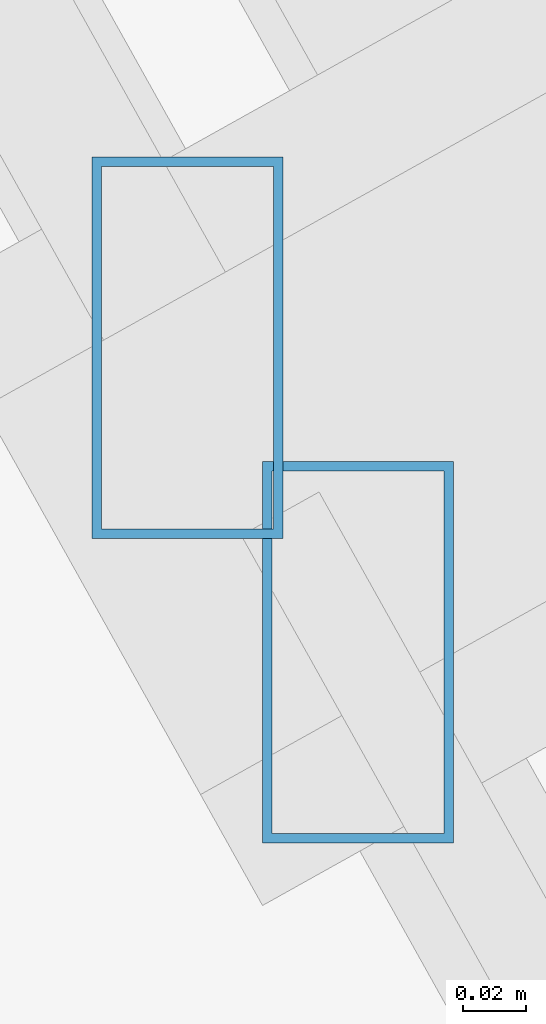
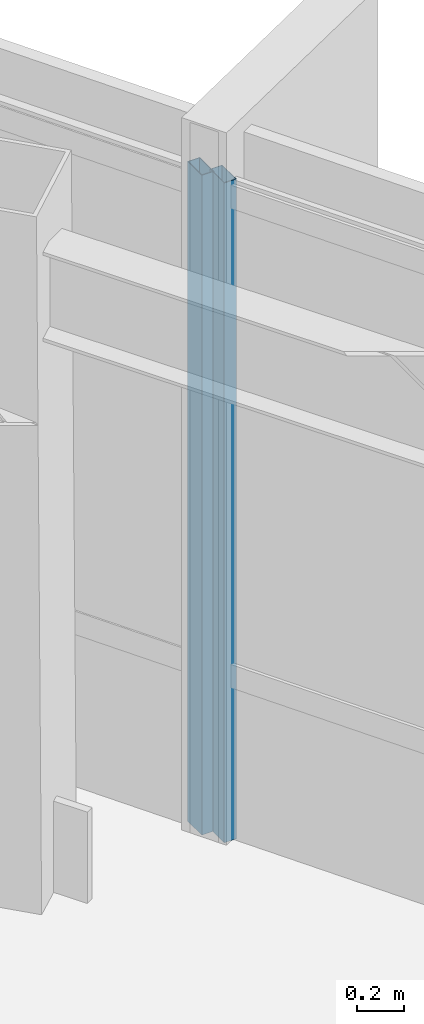
# One storey, part 30 of 45: 2 members, 2 elements without a shape of their own.
"""IFC4 building model written with IfcOpenShell, lengths in metres."""

import ifcopenshell
import ifcopenshell.guid

model = None  # the IFC model being written
_history = None  # IfcOwnerHistory: only IFC2X3 demands one
_inside = {}  # id of a spatial element -> (the spatial element, [elements in it])
_under = {}  # id of a project, library or spatial element -> (it, [spatial elements below it])
_declared = {}  # id of a project -> (the project, [libraries it declares])
_typed = {}  # id of a type object -> (the type object, [elements of that type])
_made_of = {}  # id of a material, layer set ... -> (it, [elements and type objects made of it])


def new_model(schema):
    """Start an empty IFC model of exactly this schema.

    Asked for "IFC4X3", IfcOpenShell would pick the latest addendum, in which some entities
    have other attributes; the version numbers below select the first issue.
    IFC2X3 requires an IfcOwnerHistory on every rooted entity: one is made here for all.
    """
    global model, _history
    if schema == "IFC4X3":
        model = ifcopenshell.file(schema_version=(4, 3, 0, 0))
    else:
        model = ifcopenshell.file(schema=schema)
    _inside.clear()
    _under.clear()
    _declared.clear()
    _typed.clear()
    _made_of.clear()
    _history = None
    if model.schema == "IFC2X3":
        org = make("IfcOrganization", Name="unknown")
        user = make(
            "IfcPersonAndOrganization",
            ThePerson=make("IfcPerson", FamilyName="unknown"),
            TheOrganization=org,
        )
        app = make(
            "IfcApplication",
            ApplicationDeveloper=org,
            Version="unknown",
            ApplicationFullName="unknown",
            ApplicationIdentifier="unknown",
        )
        _history = make(
            "IfcOwnerHistory",
            OwningUser=user,
            OwningApplication=app,
            ChangeAction="ADDED",
            CreationDate=0,
        )
    return model


def make(cls, **values):
    """One entity of the class cls with the attributes given. An attribute that is None is left unset."""
    return model.create_entity(
        cls, **{name: value for name, value in values.items() if value is not None}
    )


def rooted(cls, **values):
    """An entity with a GlobalId (a new one), such as an element, a storey or a relation."""
    return make(cls, GlobalId=ifcopenshell.guid.new(), OwnerHistory=_history, **values)


def si_unit(unit_type, name, prefix=None):
    """IfcSIUnit, for example si_unit("LENGTHUNIT", "METRE", prefix="MILLI")."""
    return make("IfcSIUnit", UnitType=unit_type, Prefix=prefix, Name=name)


def assignment(units):
    """IfcUnitAssignment: the units of a project."""
    return None if units is None else make("IfcUnitAssignment", Units=units)


def point(xyz):
    """IfcCartesianPoint."""
    return None if xyz is None else make("IfcCartesianPoint", Coordinates=xyz)


def direction(xyz):
    """IfcDirection."""
    return None if xyz is None else make("IfcDirection", DirectionRatios=xyz)


def frame(location, z_axis=None, x_axis=None):
    """IfcAxis2Placement3D, a coordinate frame: its origin and axes. An axis left out is left unset."""
    return make(
        "IfcAxis2Placement3D",
        Location=point(location),
        Axis=direction(z_axis),
        RefDirection=direction(x_axis),
    )


def frame_2d(location, x_axis=None):
    """IfcAxis2Placement2D, a coordinate frame in the plane: its origin and x axis."""
    return make(
        "IfcAxis2Placement2D", Location=point(location), RefDirection=direction(x_axis)
    )


def origin():
    """The frame at (0, 0, 0) with its axes left unset."""
    return frame((0.0, 0.0, 0.0))


def origin_2d():
    """The frame at (0, 0) in the plane with its x axis left unset."""
    return frame_2d((0.0, 0.0))


def place(relative_to, where):
    """IfcLocalPlacement: puts the frame where relative to a parent placement (None: the world)."""
    return make(
        "IfcLocalPlacement", PlacementRelTo=relative_to, RelativePlacement=where
    )


def context(
    kind, dimensions, precision=None, world=None, true_north=None, identifier=None
):
    """IfcGeometricRepresentationContext, for example the 3D "Model" context."""
    return make(
        "IfcGeometricRepresentationContext",
        ContextIdentifier=identifier,
        ContextType=kind,
        CoordinateSpaceDimension=dimensions,
        Precision=precision,
        WorldCoordinateSystem=world,
        TrueNorth=true_north,
    )


def subcontext(parent, identifier, kind, view, scale=None):
    """IfcGeometricRepresentationSubContext, for example "Body" below "Model"."""
    return make(
        "IfcGeometricRepresentationSubContext",
        ContextIdentifier=identifier,
        ContextType=kind,
        ParentContext=parent,
        TargetScale=scale,
        TargetView=view,
    )


def project(units=None, contexts=None):
    """IfcProject with its units and contexts."""
    return rooted(
        "IfcProject",
        Name="project",
        RepresentationContexts=contexts,
        UnitsInContext=assignment(units),
    )


def spatial(cls, under=None, at=None, **own):
    """A site, building, storey or space (cls), placed at a placement, below another one or the project."""
    s = rooted(cls, ObjectPlacement=at, **own)
    if under is not None:
        _under.setdefault(under.id(), (under, []))[1].append(s)
    return s


def profile(cls, at=None, kind="AREA", **sizes):
    """A parametric profile (cls). Its sizes go by their IFC names, for example OverallWidth=200.0."""
    return make(cls, ProfileType=kind, Position=at, **sizes)


def hollow_rectangle(**sizes):
    """IfcRectangleHollowProfileDef."""
    return profile("IfcRectangleHollowProfileDef", **sizes)


def extrude(swept, where, along, depth):
    """IfcExtrudedAreaSolid: the profile swept, set in the frame where, extruded along a direction by depth."""
    return make(
        "IfcExtrudedAreaSolid",
        SweptArea=swept,
        Position=where,
        ExtrudedDirection=direction(along),
        Depth=depth,
    )


def shape(context_of_items, identifier, shape_type, items):
    """IfcShapeRepresentation: the items that make up one representation, for example the "Body"."""
    return make(
        "IfcShapeRepresentation",
        ContextOfItems=context_of_items,
        RepresentationIdentifier=identifier,
        RepresentationType=shape_type,
        Items=items,
    )


def source(mapping_origin, context_of_items, identifier, shape_type, items):
    """IfcRepresentationMap: a shape defined once, which mapped items show again and again."""
    return make(
        "IfcRepresentationMap",
        MappingOrigin=mapping_origin,
        MappedRepresentation=shape(context_of_items, identifier, shape_type, items),
    )


def transform(
    local_origin,
    x_axis=None,
    y_axis=None,
    z_axis=None,
    scale=None,
    scale2=None,
    scale3=None,
    uniform=True,
):
    """IfcCartesianTransformationOperator3D, or its non-uniform kind. x_axis, y_axis, z_axis: its Axis1, 2, 3."""
    if uniform:
        return make(
            "IfcCartesianTransformationOperator3D",
            Axis1=direction(x_axis),
            Axis2=direction(y_axis),
            LocalOrigin=point(local_origin),
            Scale=scale,
            Axis3=direction(z_axis),
        )
    return make(
        "IfcCartesianTransformationOperator3DnonUniform",
        Axis1=direction(x_axis),
        Axis2=direction(y_axis),
        LocalOrigin=point(local_origin),
        Scale=scale,
        Axis3=direction(z_axis),
        Scale2=scale2,
        Scale3=scale3,
    )


def mapped(mapping_source, mapping_target):
    """IfcMappedItem: shows the shape of a source again, moved by a transform."""
    return make(
        "IfcMappedItem", MappingSource=mapping_source, MappingTarget=mapping_target
    )


def material(Name=None, Category=None):
    """IfcMaterial."""
    return make("IfcMaterial", Name=Name, Category=Category)


def material_profile(
    of_material, cross_section, Name=None, Category=None, Priority=None
):
    """IfcMaterialProfile: a cross section and its material."""
    return make(
        "IfcMaterialProfile",
        Name=Name,
        Material=of_material,
        Profile=cross_section,
        Priority=Priority,
        Category=Category,
    )


def profile_set(profiles, Name=None, composite=None):
    """IfcMaterialProfileSet."""
    return make(
        "IfcMaterialProfileSet",
        Name=Name,
        MaterialProfiles=profiles,
        CompositeProfile=composite,
    )


def made_of(thing, what):
    """Note that an element or type object is made of a material, layer set ...; save() writes the relation."""
    if what is not None:
        _made_of.setdefault(what.id(), (what, []))[1].append(thing)
    return thing


def type_object(cls, material=None, **own):
    """A type object (cls), such as IfcWallType, which elements share."""
    return made_of(rooted(cls, **own), material)


def type_shapes(of_type, sources):
    """Give a type object the sources (RepresentationMaps) that its elements show as mapped items."""
    of_type.RepresentationMaps = sources


def element(
    cls,
    number,
    at=None,
    inside=None,
    cuts=None,
    type_object=None,
    material=None,
    context=None,
    identifier="Body",
    shape_type=None,
    held_by="IfcProductDefinitionShape",
    body=None,
    shapes=None,
    **own,
):
    """One element of the class cls, such as IfcWall. Its Tag is "e" and its number.

    at: its placement. inside: the storey or other place that contains it. cuts: it is an
    opening in that element (IfcRelVoidsElement). A single representation is given by context,
    identifier, shape_type and body (its items); several are given by shapes. held_by: the class
    of the entity that holds the representations. save() writes the other relations.
    """
    e = rooted(cls, Tag="e%d" % number, ObjectPlacement=at, **own)
    if body is not None:
        shapes = [shape(context, identifier, shape_type, body)]
    if shapes is not None:
        e.Representation = make(held_by, Representations=shapes)
    if inside is not None:
        _inside.setdefault(inside.id(), (inside, []))[1].append(e)
    if cuts is not None:
        rooted(
            "IfcRelVoidsElement", RelatingBuildingElement=cuts, RelatedOpeningElement=e
        )
    if type_object is not None:
        _typed.setdefault(type_object.id(), (type_object, []))[1].append(e)
    return made_of(e, material)


def aggregate(whole, parts):
    """IfcRelAggregates: a whole, such as a stair, and the parts it consists of."""
    return rooted("IfcRelAggregates", RelatingObject=whole, RelatedObjects=parts)


def save(model, path):
    """Write the relations noted so far, then the file.

    IfcRelAggregates (storeys below a building ...), IfcRelContainedInSpatialStructure (elements
    in a storey), IfcRelDefinesByType, IfcRelAssociatesMaterial and IfcRelDeclares: one each for
    every whole, place, type object, material and project.
    """
    for whole, parts in _under.values():
        aggregate(whole, parts)
    for where, things in _inside.values():
        rooted(
            "IfcRelContainedInSpatialStructure",
            RelatedElements=things,
            RelatingStructure=where,
        )
    for kind, things in _typed.values():
        rooted("IfcRelDefinesByType", RelatedObjects=things, RelatingType=kind)
    for what, things in _made_of.values():
        rooted("IfcRelAssociatesMaterial", RelatedObjects=things, RelatingMaterial=what)
    for by, libraries in _declared.values():
        rooted("IfcRelDeclares", RelatingContext=by, RelatedDefinitions=libraries)
    model.write(path)


model = new_model("IFC4")

# Units and contexts
model_context = context("Model", 3, precision=1e-05, world=origin(), true_north=direction((0.0, 1.0)))
body_context = subcontext(model_context, "Body", "Model", "MODEL_VIEW")
ifc_project = project(units=[si_unit("LENGTHUNIT", "METRE"), si_unit("AREAUNIT", "SQUARE_METRE"), si_unit("VOLUMEUNIT", "CUBIC_METRE"), si_unit("PLANEANGLEUNIT", "RADIAN"), si_unit("MASSUNIT", "GRAM", prefix="KILO")], contexts=[model_context])

# Site, building, storey
site_placement = place(None, origin())
site = spatial("IfcSite", under=ifc_project, at=site_placement, CompositionType="ELEMENT")
building_placement = place(site_placement, origin())
building = spatial("IfcBuilding", under=site, at=building_placement, Name="Caelisora Broadcast Tower", CompositionType="ELEMENT")
storey_placement = place(building_placement, frame((0.0, 0.0, 273.64990234375)))
storey = spatial("IfcBuildingStorey", under=building, at=storey_placement, Name="L72", CompositionType="ELEMENT", Elevation=273.64990234375)

# Curtain wall, member
ifc_material_1 = material(Name="Unitised Aluminium Insulated Shadow-Box Spandrel Curtain Wall", Category="aluminium")
curtain_wall_type_1 = type_object("IfcCurtainWallType", Name="CW-SP3", PredefinedType="NOTDEFINED", material=ifc_material_1)
curtain_wall_1_placement = place(storey_placement, origin())
curtain_wall_1 = element("IfcCurtainWall", 1, at=curtain_wall_1_placement, inside=storey, type_object=curtain_wall_type_1, Name="L72 curtain wall CW-SP3", PredefinedType="NOTDEFINED")
ifc_material_2 = material(Name="Aluminium 6063-T6 Anodised Terracotta Bronze", Category="aluminium")
ifc_material_profile = material_profile(ifc_material_2, hollow_rectangle(XDim=0.06005859375, YDim=0.1201171875, WallThickness=0.0029296875, at=origin_2d()), Name="Aluminium 6063-T6 Anodised Terracotta Bronze")
ifc_profile_set = profile_set([ifc_material_profile], Name="Aluminium 6063-T6 Anodised Terracotta Bronze")
member_type = type_object("IfcMemberType", Name="CWM-04", PredefinedType="MULLION", material=ifc_profile_set)
shared_shape = source(origin(), body_context, "Body", "SweptSolid", [
    extrude(hollow_rectangle(XDim=0.06005859375, YDim=0.1201171875, WallThickness=0.0029296875, at=origin_2d()), origin(), (0.0, 0.0, 1.0), 3.400146484375),
])
type_shapes(member_type, [shared_shape])
member_1_placement = place(storey_placement, frame((54.29248046875, 25.85791015625, 0.0), z_axis=(0.0, 0.0, 1.0), x_axis=(1.0, 0.0, 0.0)))
member_1 = element("IfcMember", 2, at=member_1_placement, type_object=member_type, Name="L72-CW-B02 mullion #3", PredefinedType="MULLION", context=body_context, shape_type="MappedRepresentation", body=[
    mapped(shared_shape, transform((0.0, 0.0, 0.0), scale=1.0)),
])
aggregate(curtain_wall_1, [member_1])

ifc_material_3 = material(Name="Unitised Aluminium and Low-E Glass Curtain Wall", Category="glass")
curtain_wall_type_2 = type_object("IfcCurtainWallType", Name="CW-Z5", PredefinedType="NOTDEFINED", material=ifc_material_3)
curtain_wall_2_placement = place(storey_placement, origin())
curtain_wall_2 = element("IfcCurtainWall", 3, at=curtain_wall_2_placement, inside=storey, type_object=curtain_wall_type_2, Name="L72 curtain wall CW-Z5", PredefinedType="NOTDEFINED")
member_2_placement = place(storey_placement, frame((54.34619140625, 25.761962890625, 0.0), z_axis=(0.0, 0.0, 1.0), x_axis=(1.0, 0.0, 0.0)))
member_2 = element("IfcMember", 4, at=member_2_placement, type_object=member_type, Name="L72-CW-B03 mullion #0", PredefinedType="MULLION", context=body_context, shape_type="MappedRepresentation", body=[
    mapped(shared_shape, transform((0.0, 0.0, 0.0), scale=1.0)),
])
aggregate(curtain_wall_2, [member_2])

save(model, "model.ifc")
